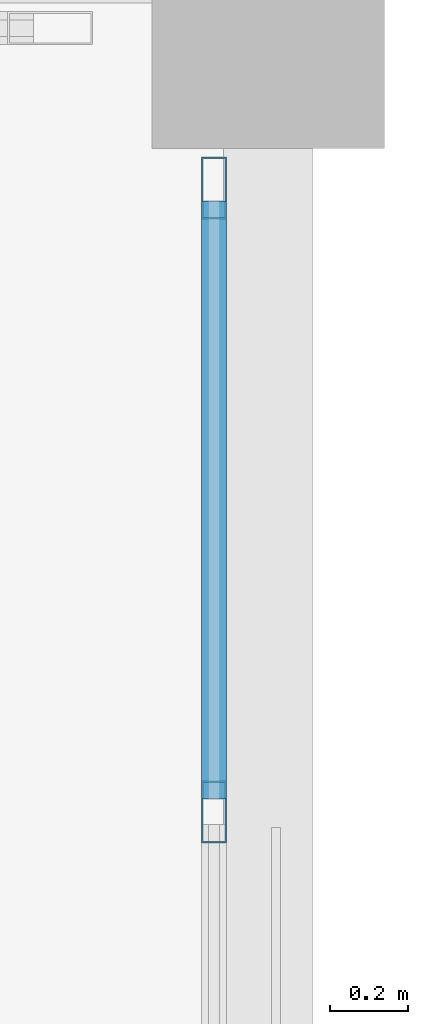
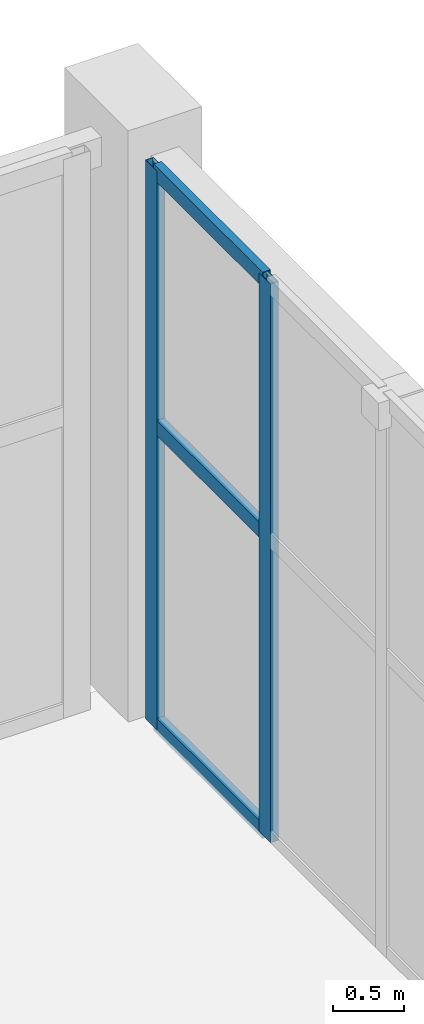
# One storey, part 69 of 128: 5 members, 1 element without a shape of its own.
"""IFC4 building model written with IfcOpenShell, lengths in metres."""

from ifc_helpers import new_model, si_unit, direction, frame, origin, origin_2d, place, context, subcontext, project, spatial, hollow_rectangle, extrude, material, layer, layer_set, material_profile, profile_set, type_object, element, aggregate, save


model = new_model("IFC4")

# Units and contexts
model_context = context("Model", 3, precision=1e-05, world=origin(), true_north=direction((0.0, 1.0)))
body_context = subcontext(model_context, "Body", "Model", "MODEL_VIEW")
ifc_project = project(units=[si_unit("LENGTHUNIT", "METRE"), si_unit("AREAUNIT", "SQUARE_METRE"), si_unit("VOLUMEUNIT", "CUBIC_METRE"), si_unit("PLANEANGLEUNIT", "RADIAN"), si_unit("MASSUNIT", "GRAM", prefix="KILO")], contexts=[model_context])

# Site, building, storey
site_placement = place(None, origin())
site = spatial("IfcSite", under=ifc_project, at=site_placement, CompositionType="ELEMENT")
building_placement = place(site_placement, origin())
building = spatial("IfcBuilding", under=site, at=building_placement, Name="Xicomal Pleat Aquarium", CompositionType="ELEMENT")
storey_placement = place(building_placement, frame((0.0, 0.0, 5.39990234375)))
storey = spatial("IfcBuildingStorey", under=building, at=storey_placement, Name="L02", CompositionType="ELEMENT", Elevation=5.39990234375)

# Curtain wall, members
ifc_material_1 = material(Name="Bronze anodized aluminium 6063-T6", Category="aluminium")
ifc_layer = layer(ifc_material_1, 0.159912109375)
ifc_layer_set = layer_set([ifc_layer], Name="Bronze anodized aluminium 6063-T6")
curtain_wall_type = type_object("IfcCurtainWallType", Name="CW-SYS-02", PredefinedType="NOTDEFINED", material=ifc_layer_set)
curtain_wall_placement = place(storey_placement, origin())
curtain_wall = element("IfcCurtainWall", 1, at=curtain_wall_placement, inside=storey, type_object=curtain_wall_type, Name="L02 unitised curtain wall CW-L02-108", PredefinedType="NOTDEFINED")
ifc_material_2 = material(Name="Bronze anodized aluminium 6063-T6", Category="aluminium")
ifc_material_profile_1 = material_profile(ifc_material_2, hollow_rectangle(XDim=0.06494140625, YDim=0.159912109375, WallThickness=0.00390625, at=origin_2d()), Name="ALU MULL 65x160")
ifc_profile_set_1 = profile_set([ifc_material_profile_1], Name="Bronze anodized aluminium 6063-T6")
member_type_1 = type_object("IfcMemberType", Name="CWM-65x160", PredefinedType="MULLION", material=ifc_profile_set_1)
member_1_placement = place(storey_placement, frame((94.06005859375, 83.047607421875, 0.0), z_axis=(0.0, 0.0, 1.0), x_axis=(1.0, 0.0, 0.0)))
member_1 = element("IfcMember", 2, at=member_1_placement, type_object=member_type_1, Name="CW-02 mullion 1", PredefinedType="MULLION", context=body_context, shape_type="SweptSolid", body=[
    extrude(hollow_rectangle(XDim=0.06494140625, YDim=0.159912109375, WallThickness=0.00390625, at=origin_2d()), origin(), (0.0, 0.0, 1.0), 4.820068359375),
])
member_2_placement = place(storey_placement, frame((94.06005859375, 81.43994140625, 0.0), z_axis=(0.0, 0.0, 1.0), x_axis=(1.0, 0.0, 0.0)))
member_2 = element("IfcMember", 3, at=member_2_placement, type_object=member_type_1, Name="CW-02 mullion 2", PredefinedType="MULLION", context=body_context, shape_type="SweptSolid", body=[
    extrude(hollow_rectangle(XDim=0.06494140625, YDim=0.159912109375, WallThickness=0.00390625, at=origin_2d()), origin(), (0.0, 0.0, 1.0), 4.820068359375),
])
ifc_material_3 = material(Name="Bronze anodized aluminium 6063-T6", Category="aluminium")
ifc_material_profile_2 = material_profile(ifc_material_3, hollow_rectangle(XDim=0.06494140625, YDim=0.1298828125, WallThickness=0.00390625, at=origin_2d()), Name="ALU TRAN 65x130")
ifc_profile_set_2 = profile_set([ifc_material_profile_2], Name="Bronze anodized aluminium 6063-T6")
member_type_2 = type_object("IfcMemberType", Name="CWT-65x130", PredefinedType="USERDEFINED", material=ifc_profile_set_2)
member_3_placement = place(storey_placement, frame((94.06005859375, 83.014892578125, 0.03271484375), z_axis=(0.0, -1.0, 0.0), x_axis=(1.0, 0.0, 0.0)))
member_3 = element("IfcMember", 4, at=member_3_placement, type_object=member_type_2, Name="CW-02 transom 1.1", ObjectType="TRANSOM", PredefinedType="USERDEFINED", context=body_context, shape_type="SweptSolid", body=[
    extrude(hollow_rectangle(XDim=0.06494140625, YDim=0.1298828125, WallThickness=0.00390625, at=origin_2d()), origin(), (0.0, 0.0, 1.0), 1.54248046875),
])
member_4_placement = place(storey_placement, frame((94.06005859375, 83.014892578125, 2.60302734375), z_axis=(0.0, -1.0, 0.0), x_axis=(1.0, 0.0, 0.0)))
member_4 = element("IfcMember", 5, at=member_4_placement, type_object=member_type_2, Name="CW-02 transom 1.2", ObjectType="TRANSOM", PredefinedType="USERDEFINED", context=body_context, shape_type="SweptSolid", body=[
    extrude(hollow_rectangle(XDim=0.06494140625, YDim=0.1298828125, WallThickness=0.00390625, at=origin_2d()), origin(), (0.0, 0.0, 1.0), 1.54248046875),
])
member_5_placement = place(storey_placement, frame((94.06005859375, 83.014892578125, 4.78759765625), z_axis=(0.0, -1.0, 0.0), x_axis=(1.0, 0.0, 0.0)))
member_5 = element("IfcMember", 6, at=member_5_placement, type_object=member_type_2, Name="CW-02 transom 1.3", ObjectType="TRANSOM", PredefinedType="USERDEFINED", context=body_context, shape_type="SweptSolid", body=[
    extrude(hollow_rectangle(XDim=0.06494140625, YDim=0.1298828125, WallThickness=0.00390625, at=origin_2d()), origin(), (0.0, 0.0, 1.0), 1.54248046875),
])
aggregate(curtain_wall, [member_1, member_2, member_3, member_4, member_5])

save(model, "model.ifc")
